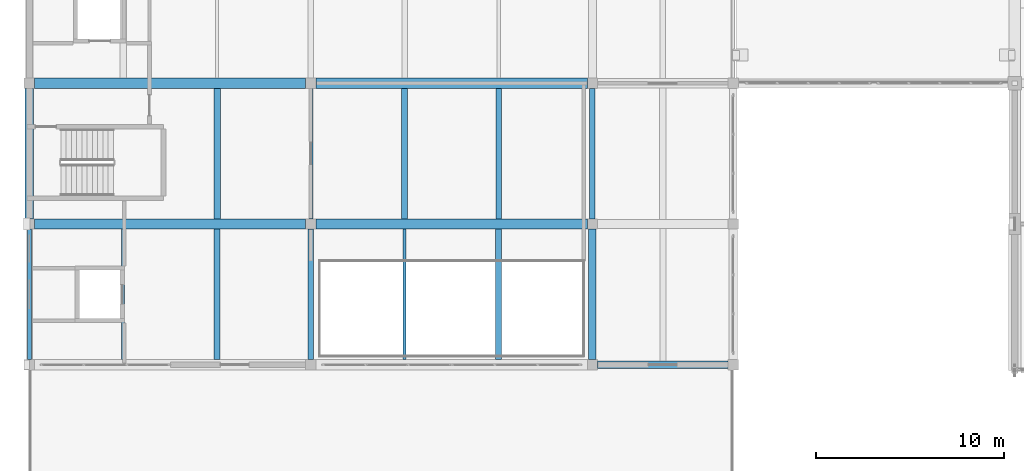
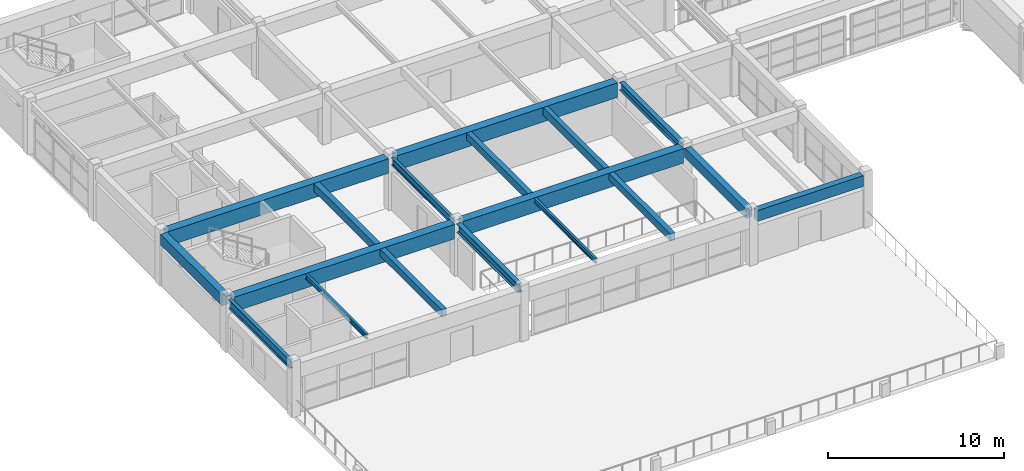
# One storey, part 7 of 101: 18 beams.
"""IFC4 building model written with IfcOpenShell, lengths in metres."""

import ifcopenshell
import ifcopenshell.guid

model = None  # the IFC model being written
_history = None  # IfcOwnerHistory: only IFC2X3 demands one
_inside = {}  # id of a spatial element -> (the spatial element, [elements in it])
_under = {}  # id of a project, library or spatial element -> (it, [spatial elements below it])
_declared = {}  # id of a project -> (the project, [libraries it declares])
_typed = {}  # id of a type object -> (the type object, [elements of that type])
_made_of = {}  # id of a material, layer set ... -> (it, [elements and type objects made of it])


def new_model(schema):
    """Start an empty IFC model of exactly this schema.

    Asked for "IFC4X3", IfcOpenShell would pick the latest addendum, in which some entities
    have other attributes; the version numbers below select the first issue.
    IFC2X3 requires an IfcOwnerHistory on every rooted entity: one is made here for all.
    """
    global model, _history
    if schema == "IFC4X3":
        model = ifcopenshell.file(schema_version=(4, 3, 0, 0))
    else:
        model = ifcopenshell.file(schema=schema)
    _inside.clear()
    _under.clear()
    _declared.clear()
    _typed.clear()
    _made_of.clear()
    _history = None
    if model.schema == "IFC2X3":
        org = make("IfcOrganization", Name="unknown")
        user = make(
            "IfcPersonAndOrganization",
            ThePerson=make("IfcPerson", FamilyName="unknown"),
            TheOrganization=org,
        )
        app = make(
            "IfcApplication",
            ApplicationDeveloper=org,
            Version="unknown",
            ApplicationFullName="unknown",
            ApplicationIdentifier="unknown",
        )
        _history = make(
            "IfcOwnerHistory",
            OwningUser=user,
            OwningApplication=app,
            ChangeAction="ADDED",
            CreationDate=0,
        )
    return model


def make(cls, **values):
    """One entity of the class cls with the attributes given. An attribute that is None is left unset."""
    return model.create_entity(
        cls, **{name: value for name, value in values.items() if value is not None}
    )


def rooted(cls, **values):
    """An entity with a GlobalId (a new one), such as an element, a storey or a relation."""
    return make(cls, GlobalId=ifcopenshell.guid.new(), OwnerHistory=_history, **values)


def si_unit(unit_type, name, prefix=None):
    """IfcSIUnit, for example si_unit("LENGTHUNIT", "METRE", prefix="MILLI")."""
    return make("IfcSIUnit", UnitType=unit_type, Prefix=prefix, Name=name)


def assignment(units):
    """IfcUnitAssignment: the units of a project."""
    return None if units is None else make("IfcUnitAssignment", Units=units)


def point(xyz):
    """IfcCartesianPoint."""
    return None if xyz is None else make("IfcCartesianPoint", Coordinates=xyz)


def direction(xyz):
    """IfcDirection."""
    return None if xyz is None else make("IfcDirection", DirectionRatios=xyz)


def frame(location, z_axis=None, x_axis=None):
    """IfcAxis2Placement3D, a coordinate frame: its origin and axes. An axis left out is left unset."""
    return make(
        "IfcAxis2Placement3D",
        Location=point(location),
        Axis=direction(z_axis),
        RefDirection=direction(x_axis),
    )


def frame_2d(location, x_axis=None):
    """IfcAxis2Placement2D, a coordinate frame in the plane: its origin and x axis."""
    return make(
        "IfcAxis2Placement2D", Location=point(location), RefDirection=direction(x_axis)
    )


def origin():
    """The frame at (0, 0, 0) with its axes left unset."""
    return frame((0.0, 0.0, 0.0))


def origin_2d():
    """The frame at (0, 0) in the plane with its x axis left unset."""
    return frame_2d((0.0, 0.0))


def place(relative_to, where):
    """IfcLocalPlacement: puts the frame where relative to a parent placement (None: the world)."""
    return make(
        "IfcLocalPlacement", PlacementRelTo=relative_to, RelativePlacement=where
    )


def context(
    kind, dimensions, precision=None, world=None, true_north=None, identifier=None
):
    """IfcGeometricRepresentationContext, for example the 3D "Model" context."""
    return make(
        "IfcGeometricRepresentationContext",
        ContextIdentifier=identifier,
        ContextType=kind,
        CoordinateSpaceDimension=dimensions,
        Precision=precision,
        WorldCoordinateSystem=world,
        TrueNorth=true_north,
    )


def subcontext(parent, identifier, kind, view, scale=None):
    """IfcGeometricRepresentationSubContext, for example "Body" below "Model"."""
    return make(
        "IfcGeometricRepresentationSubContext",
        ContextIdentifier=identifier,
        ContextType=kind,
        ParentContext=parent,
        TargetScale=scale,
        TargetView=view,
    )


def project(units=None, contexts=None):
    """IfcProject with its units and contexts."""
    return rooted(
        "IfcProject",
        Name="project",
        RepresentationContexts=contexts,
        UnitsInContext=assignment(units),
    )


def spatial(cls, under=None, at=None, **own):
    """A site, building, storey or space (cls), placed at a placement, below another one or the project."""
    s = rooted(cls, ObjectPlacement=at, **own)
    if under is not None:
        _under.setdefault(under.id(), (under, []))[1].append(s)
    return s


def profile(cls, at=None, kind="AREA", **sizes):
    """A parametric profile (cls). Its sizes go by their IFC names, for example OverallWidth=200.0."""
    return make(cls, ProfileType=kind, Position=at, **sizes)


def rectangle(**sizes):
    """IfcRectangleProfileDef."""
    return profile("IfcRectangleProfileDef", **sizes)


def i_section(**sizes):
    """IfcIShapeProfileDef."""
    return profile("IfcIShapeProfileDef", **sizes)


def extrude(swept, where, along, depth):
    """IfcExtrudedAreaSolid: the profile swept, set in the frame where, extruded along a direction by depth."""
    return make(
        "IfcExtrudedAreaSolid",
        SweptArea=swept,
        Position=where,
        ExtrudedDirection=direction(along),
        Depth=depth,
    )


def shape(context_of_items, identifier, shape_type, items):
    """IfcShapeRepresentation: the items that make up one representation, for example the "Body"."""
    return make(
        "IfcShapeRepresentation",
        ContextOfItems=context_of_items,
        RepresentationIdentifier=identifier,
        RepresentationType=shape_type,
        Items=items,
    )


def material(Name=None, Category=None):
    """IfcMaterial."""
    return make("IfcMaterial", Name=Name, Category=Category)


def material_profile(
    of_material, cross_section, Name=None, Category=None, Priority=None
):
    """IfcMaterialProfile: a cross section and its material."""
    return make(
        "IfcMaterialProfile",
        Name=Name,
        Material=of_material,
        Profile=cross_section,
        Priority=Priority,
        Category=Category,
    )


def profile_set(profiles, Name=None, composite=None):
    """IfcMaterialProfileSet."""
    return make(
        "IfcMaterialProfileSet",
        Name=Name,
        MaterialProfiles=profiles,
        CompositeProfile=composite,
    )


def made_of(thing, what):
    """Note that an element or type object is made of a material, layer set ...; save() writes the relation."""
    if what is not None:
        _made_of.setdefault(what.id(), (what, []))[1].append(thing)
    return thing


def type_object(cls, material=None, **own):
    """A type object (cls), such as IfcWallType, which elements share."""
    return made_of(rooted(cls, **own), material)


def element(
    cls,
    number,
    at=None,
    inside=None,
    cuts=None,
    type_object=None,
    material=None,
    context=None,
    identifier="Body",
    shape_type=None,
    held_by="IfcProductDefinitionShape",
    body=None,
    shapes=None,
    **own,
):
    """One element of the class cls, such as IfcWall. Its Tag is "e" and its number.

    at: its placement. inside: the storey or other place that contains it. cuts: it is an
    opening in that element (IfcRelVoidsElement). A single representation is given by context,
    identifier, shape_type and body (its items); several are given by shapes. held_by: the class
    of the entity that holds the representations. save() writes the other relations.
    """
    e = rooted(cls, Tag="e%d" % number, ObjectPlacement=at, **own)
    if body is not None:
        shapes = [shape(context, identifier, shape_type, body)]
    if shapes is not None:
        e.Representation = make(held_by, Representations=shapes)
    if inside is not None:
        _inside.setdefault(inside.id(), (inside, []))[1].append(e)
    if cuts is not None:
        rooted(
            "IfcRelVoidsElement", RelatingBuildingElement=cuts, RelatedOpeningElement=e
        )
    if type_object is not None:
        _typed.setdefault(type_object.id(), (type_object, []))[1].append(e)
    return made_of(e, material)


def aggregate(whole, parts):
    """IfcRelAggregates: a whole, such as a stair, and the parts it consists of."""
    return rooted("IfcRelAggregates", RelatingObject=whole, RelatedObjects=parts)


def save(model, path):
    """Write the relations noted so far, then the file.

    IfcRelAggregates (storeys below a building ...), IfcRelContainedInSpatialStructure (elements
    in a storey), IfcRelDefinesByType, IfcRelAssociatesMaterial and IfcRelDeclares: one each for
    every whole, place, type object, material and project.
    """
    for whole, parts in _under.values():
        aggregate(whole, parts)
    for where, things in _inside.values():
        rooted(
            "IfcRelContainedInSpatialStructure",
            RelatedElements=things,
            RelatingStructure=where,
        )
    for kind, things in _typed.values():
        rooted("IfcRelDefinesByType", RelatedObjects=things, RelatingType=kind)
    for what, things in _made_of.values():
        rooted("IfcRelAssociatesMaterial", RelatedObjects=things, RelatingMaterial=what)
    for by, libraries in _declared.values():
        rooted("IfcRelDeclares", RelatingContext=by, RelatedDefinitions=libraries)
    model.write(path)


model = new_model("IFC4")

# Units and contexts
model_context = context("Model", 3, precision=1e-05, world=origin(), true_north=direction((0.0, 1.0)))
body_context = subcontext(model_context, "Body", "Model", "MODEL_VIEW")
ifc_project = project(units=[si_unit("LENGTHUNIT", "METRE"), si_unit("AREAUNIT", "SQUARE_METRE"), si_unit("VOLUMEUNIT", "CUBIC_METRE"), si_unit("PLANEANGLEUNIT", "RADIAN"), si_unit("MASSUNIT", "GRAM", prefix="KILO")], contexts=[model_context])

# Site, building, storey
site_placement = place(None, origin())
site = spatial("IfcSite", under=ifc_project, at=site_placement, CompositionType="ELEMENT")
building_placement = place(site_placement, origin())
building = spatial("IfcBuilding", under=site, at=building_placement, Name="Qasida Concert Hall", CompositionType="ELEMENT")
storey_placement = place(building_placement, frame((0.0, 0.0, 13.199951171875)))
storey = spatial("IfcBuildingStorey", under=building, at=storey_placement, Name="L03", CompositionType="ELEMENT", Elevation=13.199951171875)

# Beams
ifc_material_1 = material(Name="Concrete C40/50", Category="concrete")
ifc_material_profile_1 = material_profile(ifc_material_1, rectangle(XDim=0.39990234375, YDim=0.64990234375, at=origin_2d()), Name="RC 400x650")
ifc_profile_set_1 = profile_set([ifc_material_profile_1], Name="Concrete C40/50")
beam_type_1 = type_object("IfcBeamType", Name="BM-B1", PredefinedType="BEAM", material=ifc_profile_set_1)
beam_1_placement = place(storey_placement, frame((30.0, 15.27490234375, 3.295166015625), z_axis=(0.0, 1.0, 0.0), x_axis=(-1.0, 0.0, 0.0)))
element("IfcBeam", 1, at=beam_1_placement, inside=storey, type_object=beam_type_1, Name="L03 girder 1626", PredefinedType="BEAM", context=body_context, shape_type="SweptSolid", body=[
    extrude(rectangle(XDim=0.39990234375, YDim=0.64990234375, at=origin_2d()), origin(), (0.0, 0.0, 1.0), 6.9501953125),
])
ifc_material_2 = material(Name="Steel S355J2", Category="steel")
ifc_material_profile_2 = material_profile(ifc_material_2, i_section(OverallWidth=0.300048828125, OverallDepth=0.550048828125, WebThickness=0.014892578125, FlangeThickness=0.029052734375, FilletRadius=0.027099609375, at=origin_2d()), Name="HEB 550")
ifc_profile_set_2 = profile_set([ifc_material_profile_2], Name="Steel S355J2")
beam_type_2 = type_object("IfcBeamType", Name="BM-B12", PredefinedType="BEAM", material=ifc_profile_set_2)
beam_2_placement = place(storey_placement, frame((30.0, 22.77490234375, 3.344970703125), z_axis=(0.0, 1.0, 0.0), x_axis=(-1.0, 0.0, 0.0)))
element("IfcBeam", 2, at=beam_2_placement, inside=storey, type_object=beam_type_2, Name="L03 girder 1627", PredefinedType="BEAM", context=body_context, shape_type="SweptSolid", body=[
    extrude(i_section(OverallWidth=0.300048828125, OverallDepth=0.550048828125, WebThickness=0.014892578125, FlangeThickness=0.029052734375, FilletRadius=0.027099609375, at=origin_2d()), origin(), (0.0, 0.0, 1.0), 6.9501953125),
])
ifc_material_profile_3 = material_profile(ifc_material_2, i_section(OverallWidth=0.199951171875, OverallDepth=0.5, WebThickness=0.01025390625, FlangeThickness=0.01611328125, FilletRadius=0.02099609375, at=origin_2d()), Name="IPE 500")
ifc_profile_set_3 = profile_set([ifc_material_profile_3], Name="Steel S355J2")
beam_type_3 = type_object("IfcBeamType", Name="BM-B4", PredefinedType="BEAM", material=ifc_profile_set_3)
beam_3_placement = place(storey_placement, frame((15.0, 22.77490234375, 3.3701171875), z_axis=(0.0, 1.0, 0.0), x_axis=(-1.0, 0.0, 0.0)))
element("IfcBeam", 3, at=beam_3_placement, inside=storey, type_object=beam_type_3, Name="L03 girder 1622", PredefinedType="BEAM", context=body_context, shape_type="SweptSolid", body=[
    extrude(i_section(OverallWidth=0.199951171875, OverallDepth=0.5, WebThickness=0.01025390625, FlangeThickness=0.01611328125, FilletRadius=0.02099609375, at=origin_2d()), origin(), (0.0, 0.0, 1.0), 6.9501953125),
])
ifc_material_profile_4 = material_profile(ifc_material_2, i_section(OverallWidth=0.300048828125, OverallDepth=0.60009765625, WebThickness=0.015380859375, FlangeThickness=0.030029296875, FilletRadius=0.027099609375, at=origin_2d()), Name="HEB 600")
ifc_profile_set_4 = profile_set([ifc_material_profile_4], Name="Steel S355J2")
beam_type_4 = type_object("IfcBeamType", Name="BM-B6", PredefinedType="BEAM", material=ifc_profile_set_4)
beam_4_placement = place(storey_placement, frame((15.0, 15.27490234375, 3.320068359375), z_axis=(0.0, 1.0, 0.0), x_axis=(-1.0, 0.0, 0.0)))
element("IfcBeam", 4, at=beam_4_placement, inside=storey, type_object=beam_type_4, Name="L03 girder 1621", PredefinedType="BEAM", context=body_context, shape_type="SweptSolid", body=[
    extrude(i_section(OverallWidth=0.300048828125, OverallDepth=0.60009765625, WebThickness=0.015380859375, FlangeThickness=0.030029296875, FilletRadius=0.027099609375, at=origin_2d()), origin(), (0.0, 0.0, 1.0), 6.9501953125),
])
ifc_material_profile_5 = material_profile(ifc_material_1, rectangle(XDim=0.550048828125, YDim=1.0, at=origin_2d()), Name="RC 550x1000")
ifc_profile_set_5 = profile_set([ifc_material_profile_5], Name="Concrete C40/50")
beam_type_5 = type_object("IfcBeamType", Name="BM-G3", PredefinedType="USERDEFINED", material=ifc_profile_set_5)
for number, where, z_axis, x_axis, name in (
    (5, (0.27490234375, 22.5, 3.1201171875), (1.0, 0.0, 0.0), (0.0, 1.0, 0.0), "Primary girder 1601"),
    (6, (15.27490234375, 22.5, 3.1201171875), (1.0, 0.0, 0.0), (0.0, 1.0, 0.0), "Primary girder 1602"),
    (7, (0.27490234375, 30.0, 3.1201171875), (1.0, 0.0, 0.0), (0.0, 1.0, 0.0), "Primary girder 1604"),
    (8, (15.27490234375, 30.0, 3.1201171875), (1.0, 0.0, 0.0), (0.0, 1.0, 0.0), "Primary girder 1605"),
):
    element("IfcBeam", number, at=place(storey_placement, frame(where, z_axis=z_axis, x_axis=x_axis)), inside=storey, type_object=beam_type_5, Name=name, ObjectType="GIRDER", PredefinedType="USERDEFINED", context=body_context, shape_type="SweptSolid", body=[
        extrude(rectangle(XDim=0.550048828125, YDim=1.0, at=origin_2d()), origin(), (0.0, 0.0, 1.0), 14.4501953125),
    ])
ifc_material_profile_6 = material_profile(ifc_material_1, rectangle(XDim=0.300048828125, YDim=0.550048828125, at=origin_2d()), Name="RC 300x550")
ifc_profile_set_6 = profile_set([ifc_material_profile_6], Name="Concrete C40/50")
beam_type_6 = type_object("IfcBeamType", Name="BM-J1", PredefinedType="JOIST", material=ifc_profile_set_6)
beam_5_placement = place(storey_placement, frame((25.0, 22.77490234375, 3.344970703125), z_axis=(0.0, 1.0, 0.0), x_axis=(-1.0, 0.0, 0.0)))
element("IfcBeam", 9, at=beam_5_placement, inside=storey, type_object=beam_type_6, Name="L03 secondary joist 1647", PredefinedType="JOIST", context=body_context, shape_type="SweptSolid", body=[
    extrude(rectangle(XDim=0.300048828125, YDim=0.550048828125, at=origin_2d()), origin(), (0.0, 0.0, 1.0), 6.9501953125),
])
ifc_material_profile_7 = material_profile(ifc_material_2, i_section(OverallWidth=0.159912109375, OverallDepth=0.330078125, WebThickness=0.007568359375, FlangeThickness=0.011474609375, FilletRadius=0.01806640625, at=origin_2d()), Name="IPE 330")
ifc_profile_set_7 = profile_set([ifc_material_profile_7], Name="Steel S355J2")
beam_type_7 = type_object("IfcBeamType", Name="BM-J5", PredefinedType="JOIST", material=ifc_profile_set_7)
for number, where, z_axis, x_axis, name in (
    (10, (5.0, 15.27490234375, 3.455078125), (0.0, 1.0, 0.0), (-1.0, 0.0, 0.0), "L03 secondary joist 1636"),
    (11, (20.0, 15.27490234375, 3.455078125), (0.0, 1.0, 0.0), (-1.0, 0.0, 0.0), "L03 secondary joist 1644"),
):
    element("IfcBeam", number, at=place(storey_placement, frame(where, z_axis=z_axis, x_axis=x_axis)), inside=storey, type_object=beam_type_7, Name=name, PredefinedType="JOIST", context=body_context, shape_type="SweptSolid", body=[
        extrude(i_section(OverallWidth=0.159912109375, OverallDepth=0.330078125, WebThickness=0.007568359375, FlangeThickness=0.011474609375, FilletRadius=0.01806640625, at=origin_2d()), origin(), (0.0, 0.0, 1.0), 6.9501953125),
    ])
ifc_material_profile_8 = material_profile(ifc_material_1, rectangle(XDim=0.320068359375, YDim=0.5, at=origin_2d()), Name="RC 320x500")
ifc_profile_set_8 = profile_set([ifc_material_profile_8], Name="Concrete C40/50")
beam_type_8 = type_object("IfcBeamType", Name="BM-J7", PredefinedType="JOIST", material=ifc_profile_set_8)
for number, where, z_axis, x_axis, name in (
    (12, (10.0, 15.27490234375, 3.3701171875), (0.0, 1.0, 0.0), (-1.0, 0.0, 0.0), "L03 secondary joist 1637"),
    (13, (25.0, 15.27490234375, 3.3701171875), (0.0, 1.0, 0.0), (-1.0, 0.0, 0.0), "L03 secondary joist 1645"),
    (14, (20.0, 22.77490234375, 3.3701171875), (0.0, 1.0, 0.0), (-1.0, 0.0, 0.0), "L03 secondary joist 1646"),
):
    element("IfcBeam", number, at=place(storey_placement, frame(where, z_axis=z_axis, x_axis=x_axis)), inside=storey, type_object=beam_type_8, Name=name, PredefinedType="JOIST", context=body_context, shape_type="SweptSolid", body=[
        extrude(rectangle(XDim=0.320068359375, YDim=0.5, at=origin_2d()), origin(), (0.0, 0.0, 1.0), 6.9501953125),
    ])
ifc_material_profile_9 = material_profile(ifc_material_1, rectangle(XDim=0.35009765625, YDim=0.550048828125, at=origin_2d()), Name="RC 350x550")
ifc_profile_set_9 = profile_set([ifc_material_profile_9], Name="Concrete C40/50")
beam_type_9 = type_object("IfcBeamType", Name="BM-J8", PredefinedType="JOIST", material=ifc_profile_set_9)
beam_6_placement = place(storey_placement, frame((10.0, 22.77490234375, 3.344970703125), z_axis=(0.0, 1.0, 0.0), x_axis=(-1.0, 0.0, 0.0)))
element("IfcBeam", 15, at=beam_6_placement, inside=storey, type_object=beam_type_9, Name="L03 secondary joist 1638", PredefinedType="JOIST", context=body_context, shape_type="SweptSolid", body=[
    extrude(rectangle(XDim=0.35009765625, YDim=0.550048828125, at=origin_2d()), origin(), (0.0, 0.0, 1.0), 6.9501953125),
])
ifc_material_profile_10 = material_profile(ifc_material_1, rectangle(XDim=0.39990234375, YDim=0.75, at=origin_2d()), Name="RC 400x750")
ifc_profile_set_10 = profile_set([ifc_material_profile_10], Name="Concrete C40/50")
beam_type_10 = type_object("IfcBeamType", Name="BM-SP1", PredefinedType="SPANDREL", material=ifc_profile_set_10)
beam_7_placement = place(storey_placement, frame((30.27490234375, 15.0, 3.2451171875), z_axis=(1.0, 0.0, 0.0), x_axis=(0.0, 1.0, 0.0)))
element("IfcBeam", 16, at=beam_7_placement, inside=storey, type_object=beam_type_10, Name="Primary girder 1600", PredefinedType="SPANDREL", context=body_context, shape_type="SweptSolid", body=[
    extrude(rectangle(XDim=0.39990234375, YDim=0.75, at=origin_2d()), origin(), (0.0, 0.0, 1.0), 6.9501953125),
])
ifc_material_profile_11 = material_profile(ifc_material_2, i_section(OverallWidth=0.219970703125, OverallDepth=0.60009765625, WebThickness=0.011962890625, FlangeThickness=0.01904296875, FilletRadius=0.02392578125, at=origin_2d()), Name="IPE 600")
ifc_profile_set_11 = profile_set([ifc_material_profile_11], Name="Steel S355J2")
beam_type_11 = type_object("IfcBeamType", Name="BM-SP3", PredefinedType="SPANDREL", material=ifc_profile_set_11)
beam_8_placement = place(storey_placement, frame((0.0, 15.27490234375, 3.320068359375), z_axis=(0.0, 1.0, 0.0), x_axis=(-1.0, 0.0, 0.0)))
element("IfcBeam", 17, at=beam_8_placement, inside=storey, type_object=beam_type_11, Name="L03 girder 1616", PredefinedType="SPANDREL", context=body_context, shape_type="SweptSolid", body=[
    extrude(i_section(OverallWidth=0.219970703125, OverallDepth=0.60009765625, WebThickness=0.011962890625, FlangeThickness=0.01904296875, FilletRadius=0.02392578125, at=origin_2d()), origin(), (0.0, 0.0, 1.0), 6.9501953125),
])
ifc_material_profile_12 = material_profile(ifc_material_1, rectangle(XDim=0.449951171875, YDim=0.75, at=origin_2d()), Name="RC 450x750")
ifc_profile_set_12 = profile_set([ifc_material_profile_12], Name="Concrete C40/50")
beam_type_12 = type_object("IfcBeamType", Name="BM-SP4", PredefinedType="SPANDREL", material=ifc_profile_set_12)
beam_9_placement = place(storey_placement, frame((0.0, 22.77490234375, 3.2451171875), z_axis=(0.0, 1.0, 0.0), x_axis=(-1.0, 0.0, 0.0)))
element("IfcBeam", 18, at=beam_9_placement, inside=storey, type_object=beam_type_12, Name="L03 girder 1617", PredefinedType="SPANDREL", context=body_context, shape_type="SweptSolid", body=[
    extrude(rectangle(XDim=0.449951171875, YDim=0.75, at=origin_2d()), origin(), (0.0, 0.0, 1.0), 6.9501953125),
])

save(model, "model.ifc")
